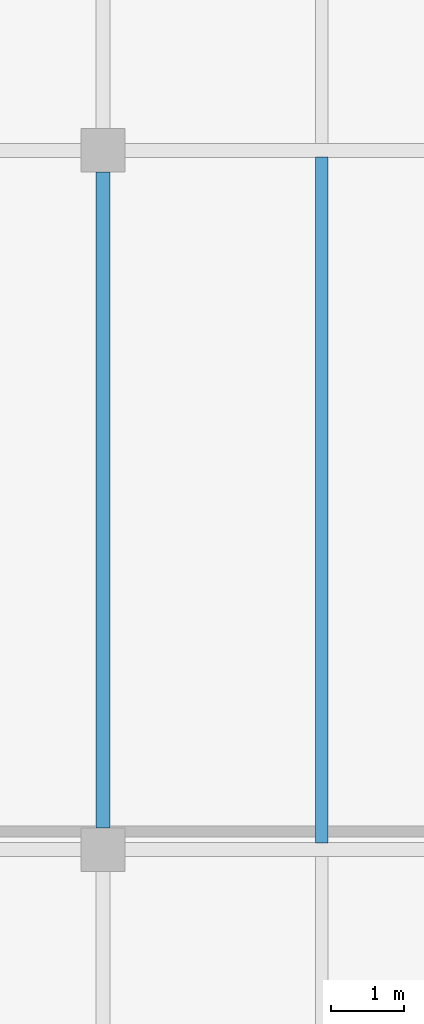
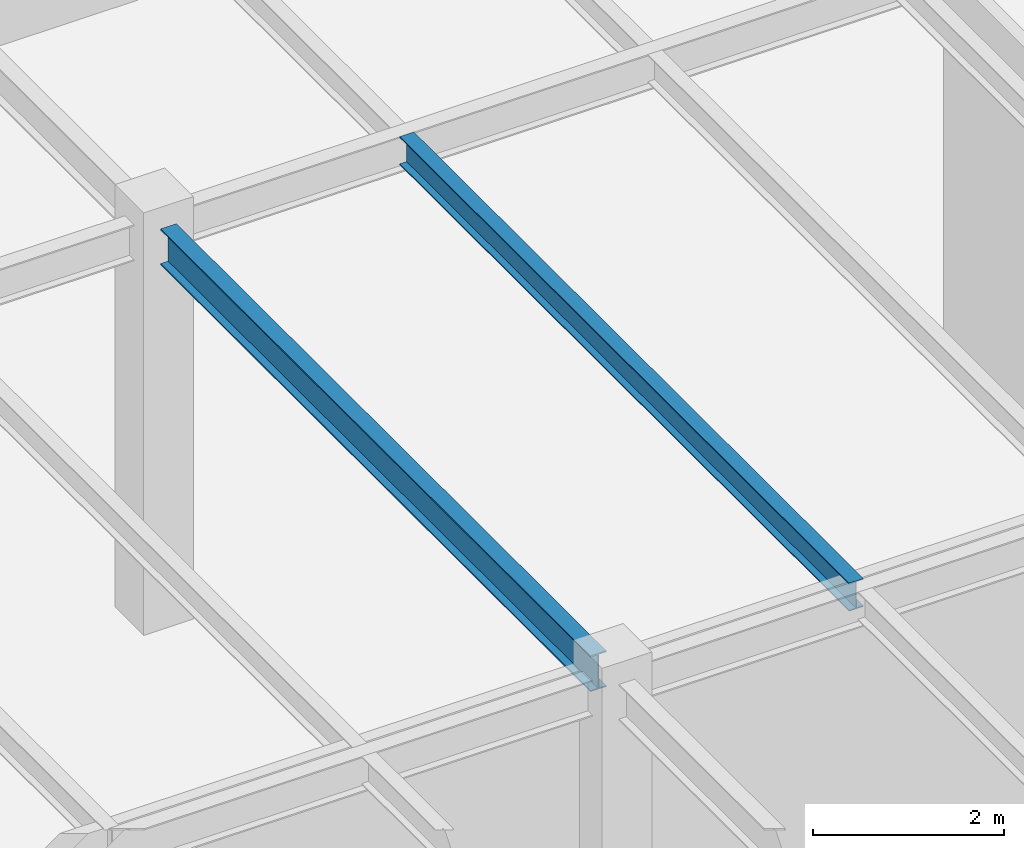
# One storey, part 101 of 188: 2 beams.
"""IFC4 building model written with IfcOpenShell, lengths in metres."""

from ifc_helpers import new_model, si_unit, direction, frame, origin, origin_2d, place, context, subcontext, project, spatial, i_section, extrude, material, material_profile, profile_set, type_object, element, save


model = new_model("IFC4")

# Units and contexts
model_context = context("Model", 3, precision=1e-05, world=origin(), true_north=direction((0.0, 1.0)))
body_context = subcontext(model_context, "Body", "Model", "MODEL_VIEW")
ifc_project = project(units=[si_unit("LENGTHUNIT", "METRE"), si_unit("AREAUNIT", "SQUARE_METRE"), si_unit("VOLUMEUNIT", "CUBIC_METRE"), si_unit("PLANEANGLEUNIT", "RADIAN"), si_unit("MASSUNIT", "GRAM", prefix="KILO")], contexts=[model_context])

# Site, building, storey
site_placement = place(None, origin())
site = spatial("IfcSite", under=ifc_project, at=site_placement, CompositionType="ELEMENT")
building_placement = place(site_placement, origin())
building = spatial("IfcBuilding", under=site, at=building_placement, Name="Pandanus Reach Market Hall", CompositionType="ELEMENT")
storey_placement = place(building_placement, origin())
storey = spatial("IfcBuildingStorey", under=building, at=storey_placement, Name="L00", CompositionType="ELEMENT", Elevation=0.0)

# Beams
ifc_material = material(Name="Steel Grade 350 (350 MPa)", Category="steel")
ifc_material_profile_1 = material_profile(ifc_material, i_section(OverallWidth=0.19091796875, OverallDepth=0.4599609375, WebThickness=0.010009765625, FlangeThickness=0.01611328125, at=origin_2d()), Name="460UB82.1", Category="LoadBearing")
ifc_profile_set_1 = profile_set([ifc_material_profile_1], Name="Steel Grade 350 (350 MPa)")
beam_type_1 = type_object("IfcBeamType", Name="BM-UB460H-I", PredefinedType="BEAM", material=ifc_profile_set_1)
beam_1_placement = place(storey_placement, frame((156.0, 38.697998046875, 4.89453125), z_axis=(0.0, 1.0, 0.0), x_axis=(-1.0, 0.0, 0.0)))
element("IfcBeam", 1, at=beam_1_placement, inside=storey, type_object=beam_type_1, Name="Framing beam BM-UB460H-I L00.202", PredefinedType="BEAM", context=body_context, shape_type="SweptSolid", body=[
    extrude(i_section(OverallWidth=0.19091796875, OverallDepth=0.4599609375, WebThickness=0.010009765625, FlangeThickness=0.01611328125, at=origin_2d()), origin(), (0.0, 0.0, 1.0), 9.00390625),
])
ifc_material_profile_2 = material_profile(ifc_material, i_section(OverallWidth=0.172119140625, OverallDepth=0.35888671875, WebThickness=0.008056640625, FlangeThickness=0.012939453125, at=origin_2d()), Name="360UB56.7", Category="LoadBearing")
ifc_profile_set_2 = profile_set([ifc_material_profile_2], Name="Steel Grade 350 (350 MPa)")
beam_type_2 = type_object("IfcBeamType", Name="JS-UB360H-I", PredefinedType="JOIST", material=ifc_profile_set_2)
beam_2_placement = place(storey_placement, frame((159.0, 38.493408203125, 4.945068359375), z_axis=(0.0, 1.0, 0.0), x_axis=(-1.0, 0.0, 0.0)))
element("IfcBeam", 2, at=beam_2_placement, inside=storey, type_object=beam_type_2, Name="Secondary joist JS-UB360H-I L00.264", PredefinedType="JOIST", context=body_context, shape_type="SweptSolid", body=[
    extrude(i_section(OverallWidth=0.172119140625, OverallDepth=0.35888671875, WebThickness=0.008056640625, FlangeThickness=0.012939453125, at=origin_2d()), origin(), (0.0, 0.0, 1.0), 9.4130859375),
])

save(model, "model.ifc")
